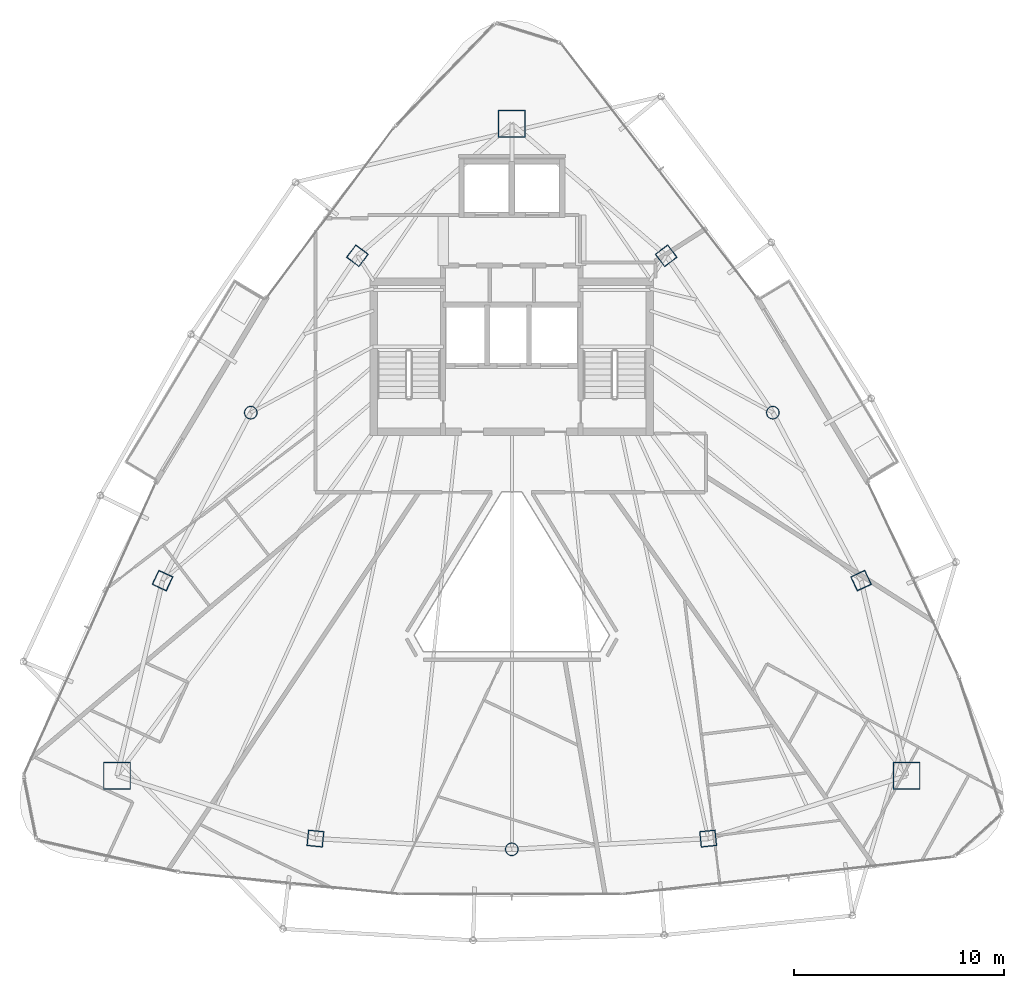
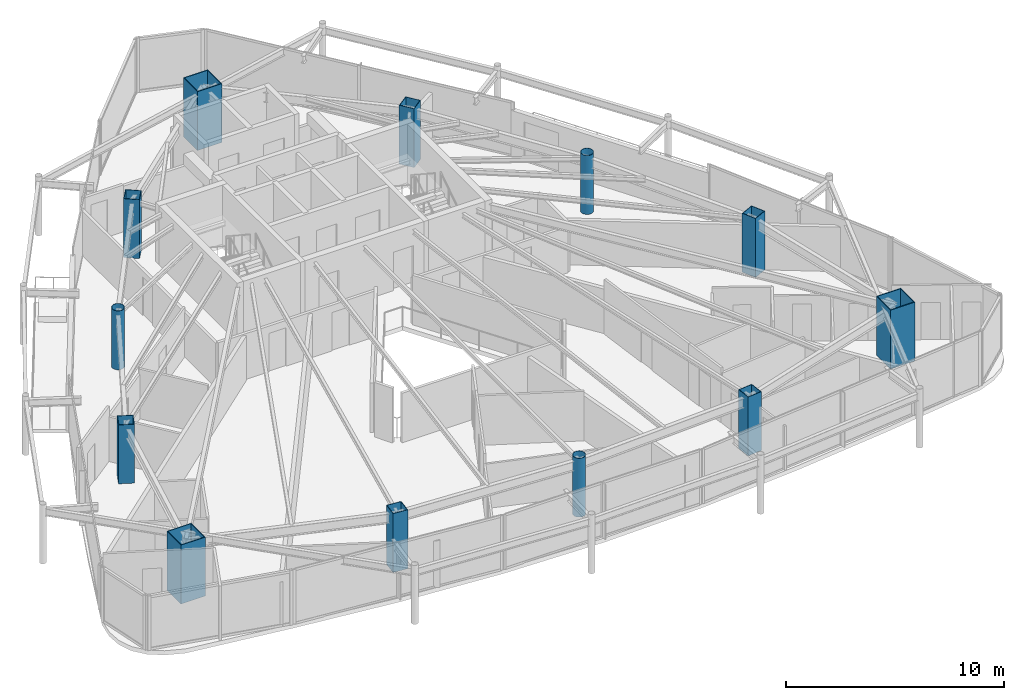
# One storey, part 1 of 33: 12 columns.
"""IFC4 building model written with IfcOpenShell, lengths in metres."""

from ifc_helpers import new_model, si_unit, direction, frame, origin, origin_2d, place, context, subcontext, project, spatial, hollow_rectangle, hollow_circle, extrude, material, material_profile, profile_set, type_object, element, save


model = new_model("IFC4")

# Units and contexts
model_context = context("Model", 3, precision=1e-05, world=origin(), true_north=direction((0.0, 1.0)))
body_context = subcontext(model_context, "Body", "Model", "MODEL_VIEW")
ifc_project = project(units=[si_unit("LENGTHUNIT", "METRE"), si_unit("AREAUNIT", "SQUARE_METRE"), si_unit("VOLUMEUNIT", "CUBIC_METRE"), si_unit("PLANEANGLEUNIT", "RADIAN"), si_unit("MASSUNIT", "GRAM", prefix="KILO")], contexts=[model_context])

# Site, building, storey
site_placement = place(None, origin())
site = spatial("IfcSite", under=ifc_project, at=site_placement, CompositionType="ELEMENT")
building_placement = place(site_placement, origin())
building = spatial("IfcBuilding", under=site, at=building_placement, Name="Orvanel Arch Residences", CompositionType="ELEMENT")
storey_placement = place(building_placement, frame((0.0, 0.0, 209.60009765625)))
storey = spatial("IfcBuildingStorey", under=building, at=storey_placement, Name="L59", CompositionType="ELEMENT", Elevation=209.60009765625)

# Columns
ifc_material_1 = material(Name="Structural steel AS/NZS 1163 C350L0 (Grade 350)", Category="steel")
ifc_material_profile_1 = material_profile(ifc_material_1, hollow_circle(Radius=0.304931640625, WallThickness=0.01611328125, at=origin_2d()), Name="CHS610x16")
ifc_profile_set_1 = profile_set([ifc_material_profile_1], Name="Structural steel AS/NZS 1163 C350L0 (Grade 350)")
column_type_1 = type_object("IfcColumnType", Name="CC-610", PredefinedType="COLUMN", material=ifc_profile_set_1)
for number, where, z_axis, x_axis, name in (
    (1, (20.569091796875, 27.64111328125, 0.0), (0.0, 0.0, 1.0), (1.0, 0.0, 0.0), "L59 High-Rise Tube Column 02"),
    (2, (33.0, 6.843994140625, 0.0), (0.0, 0.0, 1.0), (1.0, 0.0, 0.0), "L59 High-Rise Tube Column 05"),
    (3, (45.430908203125, 27.64111328125, 0.0), (0.0, 0.0, 1.0), (1.0, 0.0, 0.0), "L59 High-Rise Tube Column 08"),
):
    element("IfcColumn", number, at=place(storey_placement, frame(where, z_axis=z_axis, x_axis=x_axis)), inside=storey, type_object=column_type_1, Name=name, PredefinedType="COLUMN", context=body_context, shape_type="SweptSolid", body=[
        extrude(hollow_circle(Radius=0.304931640625, WallThickness=0.01611328125, at=origin_2d()), origin(), (0.0, 0.0, 1.0), 3.2998046875),
    ])
ifc_material_2 = material(Name="Structural steel AS/NZS 3678 Grade 450", Category="steel")
ifc_material_profile_2 = material_profile(ifc_material_2, hollow_rectangle(XDim=1.300048828125, YDim=1.300048828125, WallThickness=0.0400390625, at=origin_2d()), Name="BOX1300x1300x40")
ifc_profile_set_2 = profile_set([ifc_material_profile_2], Name="Structural steel AS/NZS 3678 Grade 450")
column_type_2 = type_object("IfcColumnType", Name="MC-1300", PredefinedType="COLUMN", material=ifc_profile_set_2)
for number, where, z_axis, x_axis, name in (
    (4, (33.0, 41.39794921875, 0.0), (0.0, 0.0, 1.0), (1.0, 0.0, 0.0), "L59 Corner Mega-Column 1"),
    (5, (14.198974609375, 10.35107421875, 0.0), (0.0, 0.0, 1.0), (1.0, 0.0, 0.0), "L59 Corner Mega-Column 2"),
    (6, (51.801025390625, 10.35107421875, 0.0), (0.0, 0.0, 1.0), (1.0, 0.0, 0.0), "L59 Corner Mega-Column 3"),
):
    element("IfcColumn", number, at=place(storey_placement, frame(where, z_axis=z_axis, x_axis=x_axis)), inside=storey, type_object=column_type_2, Name=name, PredefinedType="COLUMN", context=body_context, shape_type="SweptSolid", body=[
        extrude(hollow_rectangle(XDim=1.300048828125, YDim=1.300048828125, WallThickness=0.0400390625, at=origin_2d()), origin(), (0.0, 0.0, 1.0), 3.2998046875),
    ])
ifc_material_3 = material(Name="Structural steel AS/NZS 3678 Grade 350", Category="steel")
ifc_material_profile_3 = material_profile(ifc_material_3, hollow_rectangle(XDim=0.75, YDim=0.75, WallThickness=0.02490234375, at=origin_2d()), Name="BOX750x750x25")
ifc_profile_set_3 = profile_set([ifc_material_profile_3], Name="Structural steel AS/NZS 3678 Grade 350")
column_type_3 = type_object("IfcColumnType", Name="TC-750", PredefinedType="COLUMN", material=ifc_profile_set_3)
for number, where, z_axis, x_axis, name in (
    (7, (25.64794921875, 35.113037109375, 0.0), (0.0, 0.0, 1.0), (0.600420225326, 0.799684658487, 0.0), "L59 High-Rise Tube Column 01"),
    (8, (16.366943359375, 19.64208984375, 0.0), (0.0, 0.0, 1.0), (0.422618261741, 0.906307787037, 0.0), "L59 High-Rise Tube Column 03"),
    (9, (23.64892578125, 7.35498046875, 0.0), (0.0, 0.0, 1.0), (-0.994880708829, 0.101056297183, 0.0), "L59 High-Rise Tube Column 04"),
    (10, (42.35107421875, 7.35498046875, 0.0), (0.0, 0.0, 1.0), (0.994880708829, 0.101056297183, 0.0), "L59 High-Rise Tube Column 06"),
    (11, (49.633056640625, 19.64208984375, 0.0), (0.0, 0.0, 1.0), (-0.422618261741, 0.906307787037, 0.0), "L59 High-Rise Tube Column 07"),
    (12, (40.35205078125, 35.113037109375, 0.0), (0.0, 0.0, 1.0), (-0.600420225326, 0.799684658487, 0.0), "L59 High-Rise Tube Column 09"),
):
    element("IfcColumn", number, at=place(storey_placement, frame(where, z_axis=z_axis, x_axis=x_axis)), inside=storey, type_object=column_type_3, Name=name, PredefinedType="COLUMN", context=body_context, shape_type="SweptSolid", body=[
        extrude(hollow_rectangle(XDim=0.75, YDim=0.75, WallThickness=0.02490234375, at=origin_2d()), origin(), (0.0, 0.0, 1.0), 3.2998046875),
    ])

save(model, "model.ifc")
